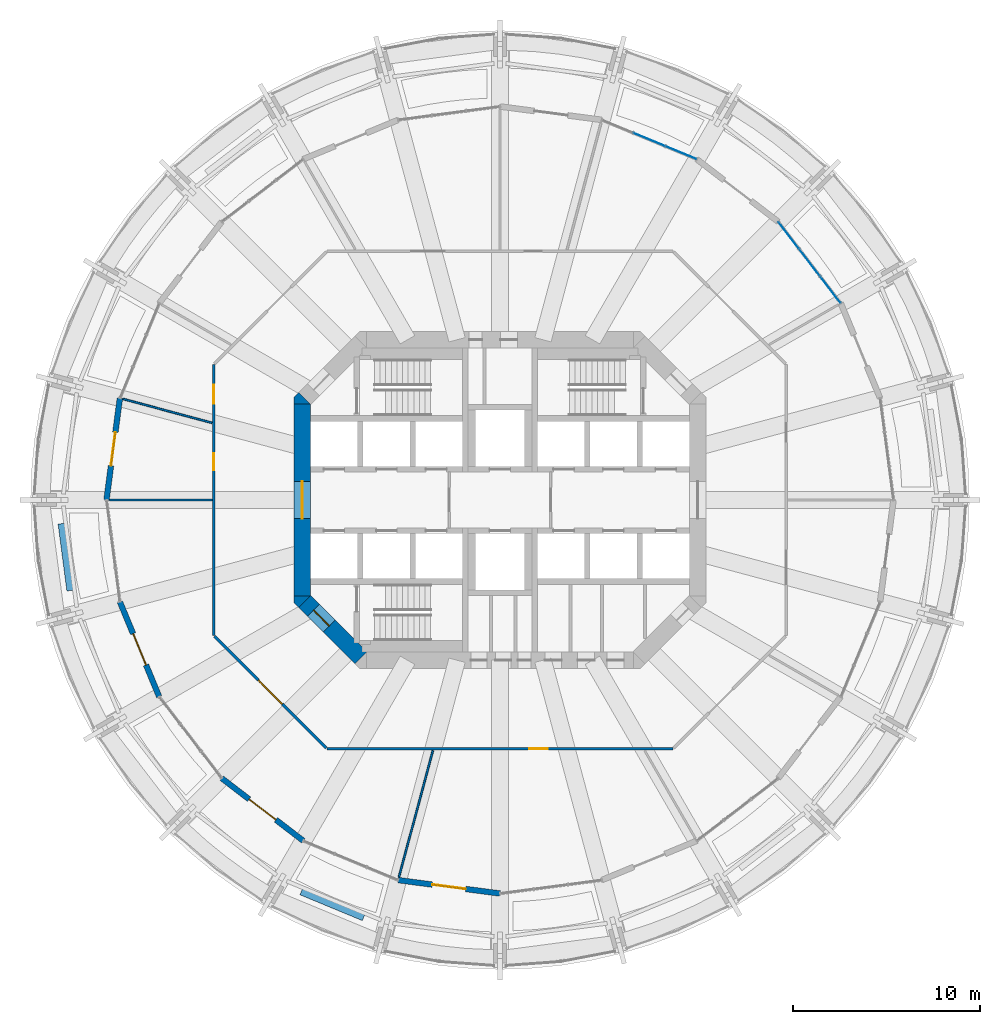
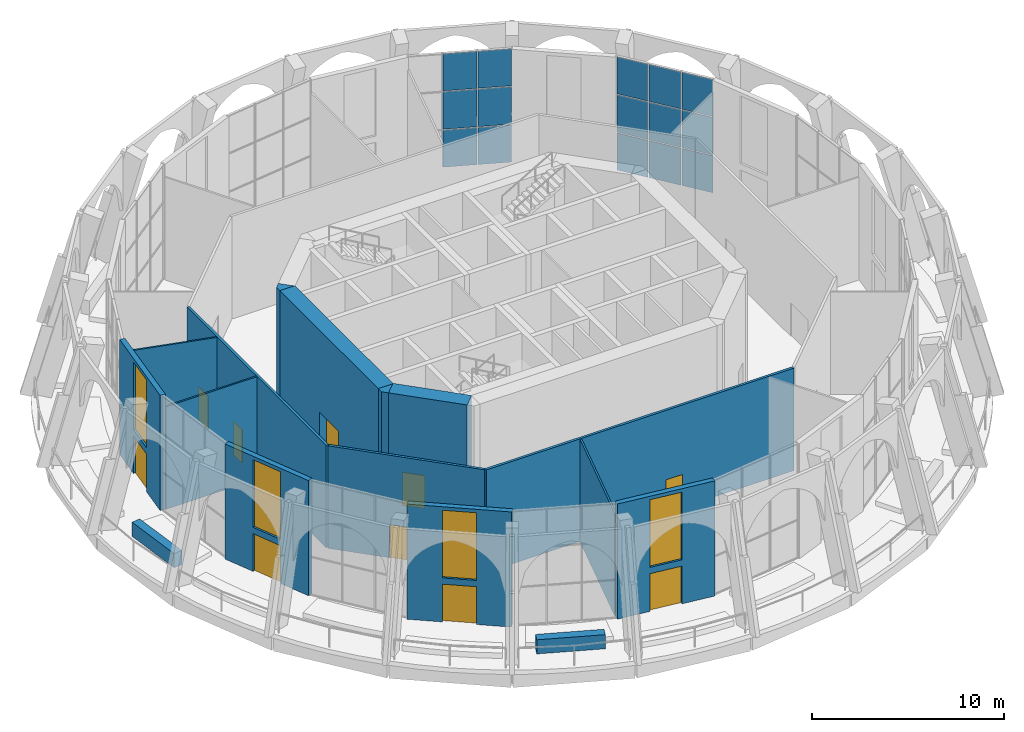
# One storey, part 11 of 18: 16 walls, 15 plates, 10 doors, 4 windows, 14 openings, 2 elements without a shape of their own.
"""IFC4 building model written with IfcOpenShell, lengths in metres."""

from ifc_helpers import new_model, si_unit, direction, frame, frame_2d, origin, origin_2d, place, context, subcontext, project, spatial, polyline, rectangle, outline, extrude, material, layer, layer_set, type_object, element, fill, aggregate, save


model = new_model("IFC4")

# Units and contexts
model_context = context("Model", 3, precision=1e-05, world=origin(), true_north=direction((0.0, 1.0)))
body_context = subcontext(model_context, "Body", "Model", "MODEL_VIEW")
ifc_project = project(units=[si_unit("LENGTHUNIT", "METRE"), si_unit("AREAUNIT", "SQUARE_METRE"), si_unit("VOLUMEUNIT", "CUBIC_METRE"), si_unit("PLANEANGLEUNIT", "RADIAN"), si_unit("MASSUNIT", "GRAM", prefix="KILO")], contexts=[model_context])

# Site, building, storey
site_placement = place(None, origin())
site = spatial("IfcSite", under=ifc_project, at=site_placement, CompositionType="ELEMENT")
building_placement = place(site_placement, origin())
building = spatial("IfcBuilding", under=site, at=building_placement, Name="Torre Triforio", CompositionType="ELEMENT")
storey_placement = place(building_placement, frame((0.0, 0.0, 146.60009765625)))
storey = spatial("IfcBuildingStorey", under=building, at=storey_placement, Name="L33", CompositionType="ELEMENT", Elevation=146.60009765625)

# Curtain wall, plates
ifc_material_1 = material(Name="Aluminium mullion and transom frame with clear laminated glass", Category="aluminium")
curtain_wall_type = type_object("IfcCurtainWallType", Name="Sky garden conservatory wall ECW3", PredefinedType="NOTDEFINED", material=ifc_material_1)
curtain_wall_1_placement = place(storey_placement, origin())
curtain_wall_1 = element("IfcCurtainWall", 1, at=curtain_wall_1_placement, inside=storey, type_object=curtain_wall_type, Name="Conservatory wall L33 bay 03", PredefinedType="NOTDEFINED")
ifc_material_2 = material(Name="Clear laminated glass", Category="glass")
ifc_layer_1 = layer(ifc_material_2, 0.028076171875)
ifc_layer_set_1 = layer_set([ifc_layer_1], Name="Clear laminated glass")
plate_type = type_object("IfcPlateType", Name="ECW3 glass panel 28", PredefinedType="CURTAIN_PANEL", material=ifc_layer_set_1)
plate_1_placement = place(storey_placement, frame((17.63330078125, 11.220947265625, 0.059814453125), z_axis=(0.0, 0.0, 1.0), x_axis=(-0.608763325538, 0.793351885029, 0.0)))
plate_1 = element("IfcPlate", 2, at=plate_1_placement, type_object=plate_type, Name="ECW3 panel 1.1", PredefinedType="CURTAIN_PANEL", context=body_context, shape_type="SweptSolid", body=[
    extrude(rectangle(XDim=1.75732421875, YDim=0.028076171875, at=origin_2d()), origin(), (0.0, 0.0, 1.0), 2.35009765625),
])
plate_2_placement = place(storey_placement, frame((17.63330078125, 11.220947265625, 2.469970703125), z_axis=(0.0, 0.0, 1.0), x_axis=(-0.608763325538, 0.793351885029, 0.0)))
plate_2 = element("IfcPlate", 3, at=plate_2_placement, type_object=plate_type, Name="ECW3 panel 1.2", PredefinedType="CURTAIN_PANEL", context=body_context, shape_type="SweptSolid", body=[
    extrude(rectangle(XDim=1.75732421875, YDim=0.028076171875, at=origin_2d()), origin(), (0.0, 0.0, 1.0), 2.3798828125),
])
plate_3_placement = place(storey_placement, frame((17.63330078125, 11.220947265625, 4.909912109375), z_axis=(0.0, 0.0, 1.0), x_axis=(-0.608763325538, 0.793351885029, 0.0)))
plate_3 = element("IfcPlate", 4, at=plate_3_placement, type_object=plate_type, Name="ECW3 panel 1.3", PredefinedType="CURTAIN_PANEL", context=body_context, shape_type="SweptSolid", body=[
    extrude(rectangle(XDim=1.75732421875, YDim=0.028076171875, at=origin_2d()), origin(), (0.0, 0.0, 1.0), 2.35009765625),
])
plate_4_placement = place(storey_placement, frame((16.517822265625, 12.674560546875, 0.059814453125), z_axis=(0.0, 0.0, 1.0), x_axis=(-0.608763325538, 0.793351885029, 0.0)))
plate_4 = element("IfcPlate", 5, at=plate_4_placement, type_object=plate_type, Name="ECW3 panel 2.1", PredefinedType="CURTAIN_PANEL", context=body_context, shape_type="SweptSolid", body=[
    extrude(rectangle(XDim=1.787353515625, YDim=0.028076171875, at=origin_2d()), origin(), (0.0, 0.0, 1.0), 2.35009765625),
])
plate_5_placement = place(storey_placement, frame((16.517822265625, 12.674560546875, 2.469970703125), z_axis=(0.0, 0.0, 1.0), x_axis=(-0.608763325538, 0.793351885029, 0.0)))
plate_5 = element("IfcPlate", 6, at=plate_5_placement, type_object=plate_type, Name="ECW3 panel 2.2", PredefinedType="CURTAIN_PANEL", context=body_context, shape_type="SweptSolid", body=[
    extrude(rectangle(XDim=1.787353515625, YDim=0.028076171875, at=origin_2d()), origin(), (0.0, 0.0, 1.0), 2.3798828125),
])
plate_6_placement = place(storey_placement, frame((16.517822265625, 12.674560546875, 4.909912109375), z_axis=(0.0, 0.0, 1.0), x_axis=(-0.608763325538, 0.793351885029, 0.0)))
plate_6 = element("IfcPlate", 7, at=plate_6_placement, type_object=plate_type, Name="ECW3 panel 2.3", PredefinedType="CURTAIN_PANEL", context=body_context, shape_type="SweptSolid", body=[
    extrude(rectangle(XDim=1.787353515625, YDim=0.028076171875, at=origin_2d()), origin(), (0.0, 0.0, 1.0), 2.35009765625),
])
plate_7_placement = place(storey_placement, frame((15.40234375, 14.12841796875, 0.059814453125), z_axis=(0.0, 0.0, 1.0), x_axis=(-0.608763325538, 0.793351885029, 0.0)))
plate_7 = element("IfcPlate", 8, at=plate_7_placement, type_object=plate_type, Name="ECW3 panel 3.1", PredefinedType="CURTAIN_PANEL", context=body_context, shape_type="SweptSolid", body=[
    extrude(rectangle(XDim=1.75732421875, YDim=0.028076171875, at=origin_2d()), origin(), (0.0, 0.0, 1.0), 2.35009765625),
])
plate_8_placement = place(storey_placement, frame((15.40234375, 14.12841796875, 2.469970703125), z_axis=(0.0, 0.0, 1.0), x_axis=(-0.608763325538, 0.793351885029, 0.0)))
plate_8 = element("IfcPlate", 9, at=plate_8_placement, type_object=plate_type, Name="ECW3 panel 3.2", PredefinedType="CURTAIN_PANEL", context=body_context, shape_type="SweptSolid", body=[
    extrude(rectangle(XDim=1.75732421875, YDim=0.028076171875, at=origin_2d()), origin(), (0.0, 0.0, 1.0), 2.3798828125),
])
plate_9_placement = place(storey_placement, frame((15.40234375, 14.12841796875, 4.909912109375), z_axis=(0.0, 0.0, 1.0), x_axis=(-0.608763325538, 0.793351885029, 0.0)))
plate_9 = element("IfcPlate", 10, at=plate_9_placement, type_object=plate_type, Name="ECW3 panel 3.3", PredefinedType="CURTAIN_PANEL", context=body_context, shape_type="SweptSolid", body=[
    extrude(rectangle(XDim=1.75732421875, YDim=0.028076171875, at=origin_2d()), origin(), (0.0, 0.0, 1.0), 2.35009765625),
])
aggregate(curtain_wall_1, [plate_1, plate_2, plate_3, plate_4, plate_5, plate_6, plate_7, plate_8, plate_9])

curtain_wall_2_placement = place(storey_placement, origin())
curtain_wall_2 = element("IfcCurtainWall", 11, at=curtain_wall_2_placement, inside=storey, type_object=curtain_wall_type, Name="Conservatory wall L33 bay 05", PredefinedType="NOTDEFINED")
plate_10_placement = place(storey_placement, frame((9.660400390625, 18.534423828125, 0.059814453125), z_axis=(0.0, 0.0, 1.0), x_axis=(-0.923883122974, 0.382674764107, 0.0)))
plate_10 = element("IfcPlate", 12, at=plate_10_placement, type_object=plate_type, Name="ECW3 panel 1.1", PredefinedType="CURTAIN_PANEL", context=body_context, shape_type="SweptSolid", body=[
    extrude(rectangle(XDim=1.75732421875, YDim=0.028076171875, at=origin_2d()), origin(), (0.0, 0.0, 1.0), 2.35009765625),
])
plate_11_placement = place(storey_placement, frame((9.660400390625, 18.534423828125, 2.469970703125), z_axis=(0.0, 0.0, 1.0), x_axis=(-0.923883122974, 0.382674764107, 0.0)))
plate_11 = element("IfcPlate", 13, at=plate_11_placement, type_object=plate_type, Name="ECW3 panel 1.2", PredefinedType="CURTAIN_PANEL", context=body_context, shape_type="SweptSolid", body=[
    extrude(rectangle(XDim=1.75732421875, YDim=0.028076171875, at=origin_2d()), origin(), (0.0, 0.0, 1.0), 2.3798828125),
])
plate_12_placement = place(storey_placement, frame((9.660400390625, 18.534423828125, 4.909912109375), z_axis=(0.0, 0.0, 1.0), x_axis=(-0.923883122974, 0.382674764107, 0.0)))
plate_12 = element("IfcPlate", 14, at=plate_12_placement, type_object=plate_type, Name="ECW3 panel 1.3", PredefinedType="CURTAIN_PANEL", context=body_context, shape_type="SweptSolid", body=[
    extrude(rectangle(XDim=1.75732421875, YDim=0.028076171875, at=origin_2d()), origin(), (0.0, 0.0, 1.0), 2.35009765625),
])
plate_13_placement = place(storey_placement, frame((7.967529296875, 19.235595703125, 0.059814453125), z_axis=(0.0, 0.0, 1.0), x_axis=(-0.923883122974, 0.382674764107, 0.0)))
plate_13 = element("IfcPlate", 15, at=plate_13_placement, type_object=plate_type, Name="ECW3 panel 2.1", PredefinedType="CURTAIN_PANEL", context=body_context, shape_type="SweptSolid", body=[
    extrude(rectangle(XDim=1.787353515625, YDim=0.028076171875, at=origin_2d()), origin(), (0.0, 0.0, 1.0), 2.35009765625),
])
plate_14_placement = place(storey_placement, frame((7.967529296875, 19.235595703125, 2.469970703125), z_axis=(0.0, 0.0, 1.0), x_axis=(-0.923883122974, 0.382674764107, 0.0)))
plate_14 = element("IfcPlate", 16, at=plate_14_placement, type_object=plate_type, Name="ECW3 panel 2.2", PredefinedType="CURTAIN_PANEL", context=body_context, shape_type="SweptSolid", body=[
    extrude(rectangle(XDim=1.787353515625, YDim=0.028076171875, at=origin_2d()), origin(), (0.0, 0.0, 1.0), 2.3798828125),
])
plate_15_placement = place(storey_placement, frame((7.967529296875, 19.235595703125, 4.909912109375), z_axis=(0.0, 0.0, 1.0), x_axis=(-0.923883122974, 0.382674764107, 0.0)))
plate_15 = element("IfcPlate", 17, at=plate_15_placement, type_object=plate_type, Name="ECW3 panel 2.3", PredefinedType="CURTAIN_PANEL", context=body_context, shape_type="SweptSolid", body=[
    extrude(rectangle(XDim=1.787353515625, YDim=0.028076171875, at=origin_2d()), origin(), (0.0, 0.0, 1.0), 2.35009765625),
])
aggregate(curtain_wall_2, [plate_10, plate_11, plate_12, plate_13, plate_14, plate_15])

# Wall, opening, door
ifc_material_3 = material(Name="Concrete C60", Category="concrete")
ifc_layer_2 = layer(ifc_material_3, 0.89990234375)
ifc_layer_set_2 = layer_set([ifc_layer_2], Name="Concrete C60")
wall_type_1 = type_object("IfcWallType", Name="Core wall 900 mm C60 EI 120", PredefinedType="SHEAR", material=ifc_layer_set_2)
wall_1_placement = place(storey_placement, frame((-10.550048828125, -5.1298828125, -0.280029296875), z_axis=(0.0, 0.0, 1.0), x_axis=(0.0, 1.0, 0.0)))
wall_1 = element("IfcWall", 18, at=wall_1_placement, inside=storey, type_object=wall_type_1, Name="Core wall", PredefinedType="SHEAR", context=body_context, shape_type="SweptSolid", body=[
    extrude(rectangle(XDim=10.259765625, YDim=0.89990234375, at=frame_2d((5.1298828125, 0.0))), origin(), (0.0, 0.0, 1.0), 7.599853515625),
])
opening_1_placement = place(wall_1_placement, frame((4.1298828125, 0.0, 0.280029296875)))
opening_1 = element("IfcOpeningElement", 19, at=opening_1_placement, cuts=wall_1, Name="Opening W-RING", PredefinedType="OPENING", context=body_context, shape_type="SweptSolid", body=[
    extrude(rectangle(XDim=2.0, YDim=2.10009765625, at=frame_2d((1.0, 1.050048828125))), frame((0.0, 0.4599609375, 0.0), z_axis=(0.0, -1.0, 0.0), x_axis=(1.0, 0.0, 0.0)), (0.0, 0.0, 1.0), 0.919921875),
])
ifc_material_4 = material(Name="Hollow metal fire door leaf")
door_type_1 = type_object("IfcDoorType", Name="Lobby door 2000 x 2100 EI 60", OperationType="DOUBLE_DOOR_SINGLE_SWING", PredefinedType="DOOR", material=ifc_material_4)
door_1_placement = place(opening_1_placement, origin())
door_1 = element("IfcDoor", 20, at=door_1_placement, inside=storey, type_object=door_type_1, Name="Core door W-RING", OperationType="DOUBLE_DOOR_SINGLE_SWING", OverallHeight=2.10009765625, OverallWidth=2.0, PredefinedType="DOOR", context=body_context, shape_type="SweptSolid", body=[
    extrude(rectangle(XDim=2.0, YDim=2.10009765625, at=frame_2d((1.0, 1.050048828125))), frame((0.0, 0.02490234375, 0.0), z_axis=(0.0, -1.0, 0.0), x_axis=(1.0, 0.0, 0.0)), (0.0, 0.0, 1.0), 0.050048828125),
])
fill(opening_1, door_1)

wall_2_placement = place(storey_placement, frame((-7.418212890625, -8.418212890625, -0.280029296875), z_axis=(0.0, 0.0, 1.0), x_axis=(-0.707106781187, 0.707106781187, 0.0)))
wall_2 = element("IfcWall", 21, at=wall_2_placement, inside=storey, type_object=wall_type_1, Name="Core wall", PredefinedType="SHEAR", context=body_context, shape_type="SweptSolid", body=[
    extrude(rectangle(XDim=4.24267578125, YDim=0.89990234375, at=frame_2d((2.121337890625, 0.0))), origin(), (0.0, 0.0, 1.0), 7.599853515625),
])
opening_2_placement = place(wall_2_placement, frame((2.392578125, 0.0, 0.280029296875)))
opening_2 = element("IfcOpeningElement", 22, at=opening_2_placement, cuts=wall_2, Name="Opening ST3-EXIT", PredefinedType="OPENING", context=body_context, shape_type="SweptSolid", body=[
    extrude(rectangle(XDim=1.199951171875, YDim=2.10009765625, at=frame_2d((0.60009765625, 1.050048828125))), frame((0.0, 0.4599609375, 0.0), z_axis=(0.0, -1.0, 0.0), x_axis=(1.0, 0.0, 0.0)), (0.0, 0.0, 1.0), 0.919921875),
])
door_type_2 = type_object("IfcDoorType", Name="Stair lobby door 1200 x 2100 EI 60", OperationType="NOTDEFINED", PredefinedType="DOOR", material=ifc_material_4)
door_2_placement = place(opening_2_placement, origin())
door_2 = element("IfcDoor", 23, at=door_2_placement, inside=storey, type_object=door_type_2, Name="Core door ST3-EXIT", OperationType="SINGLE_SWING_RIGHT", OverallHeight=2.10009765625, OverallWidth=1.199951171875, PredefinedType="DOOR", context=body_context, shape_type="SweptSolid", body=[
    extrude(rectangle(XDim=1.199951171875, YDim=2.10009765625, at=frame_2d((0.60009765625, 1.050048828125))), frame((0.0, 0.02490234375, 0.0), z_axis=(0.0, -1.0, 0.0), x_axis=(1.0, 0.0, 0.0)), (0.0, 0.0, 1.0), 0.050048828125),
])
fill(opening_2, door_2)

# Walls
wall_3_placement = place(storey_placement, frame((0.0, 0.0, -0.280029296875)))
element("IfcWall", 24, at=wall_3_placement, inside=storey, type_object=wall_type_1, Name="Core wall", PredefinedType="SHEAR", context=body_context, shape_type="SweptSolid", body=[
    extrude(outline(polyline([(-11.0, -5.472900390625), (-11.0, -5.1298828125), (-10.1298828125, -5.1298828125), (-10.736328125, -5.736328125), (-11.0, -5.472900390625)])), origin(), (0.0, 0.0, 1.0), 7.599853515625),
])
wall_4_placement = place(storey_placement, frame((0.0, 0.0, -0.280029296875)))
element("IfcWall", 25, at=wall_4_placement, inside=storey, type_object=wall_type_1, Name="Core wall", PredefinedType="SHEAR", context=body_context, shape_type="SweptSolid", body=[
    extrude(outline(polyline([(-10.736328125, 5.736328125), (-10.1298828125, 5.1298828125), (-11.0, 5.1298828125), (-11.0, 5.472900390625), (-10.736328125, 5.736328125)])), origin(), (0.0, 0.0, 1.0), 7.599853515625),
])

# Wall, opening, door
ifc_material_5 = material(Name="Plasterboard on metal studs")
ifc_layer_3 = layer(ifc_material_5, 0.14990234375)
ifc_layer_set_3 = layer_set([ifc_layer_3], Name="Plasterboard on metal studs")
wall_type_2 = type_object("IfcWallType", Name="Corridor and tenancy wall 150 mm EI 60", PredefinedType="PARTITIONING", material=ifc_layer_set_3)
wall_5_placement = place(storey_placement, frame((9.24365234375, -13.27490234375, 0.0), z_axis=(0.0, 0.0, 1.0), x_axis=(-1.0, 0.0, 0.0)))
wall_5 = element("IfcWall", 26, at=wall_5_placement, inside=storey, type_object=wall_type_2, Name="Partition 2", PredefinedType="PARTITIONING", context=body_context, shape_type="SweptSolid", body=[
    extrude(rectangle(XDim=18.4873046875, YDim=0.14990234375, at=frame_2d((9.24365234375, 0.0))), origin(), (0.0, 0.0, 1.0), 6.52001953125),
])
opening_3_placement = place(wall_5_placement, frame((6.68701171875, 0.0, 0.0)))
opening_3 = element("IfcOpeningElement", 27, at=opening_3_placement, cuts=wall_5, Name="Opening G2-08", PredefinedType="OPENING", context=body_context, shape_type="SweptSolid", body=[
    extrude(rectangle(XDim=1.0, YDim=2.10009765625, at=frame_2d((0.5, 1.050048828125))), frame((0.0, 0.0849609375, 0.0), z_axis=(0.0, -1.0, 0.0), x_axis=(1.0, 0.0, 0.0)), (0.0, 0.0, 1.0), 0.169921875),
])
ifc_material_6 = material(Name="Timber", Category="wood")
door_type_3 = type_object("IfcDoorType", Name="Door 1000 x 2100 single leaf EI 30", OperationType="NOTDEFINED", PredefinedType="DOOR", material=ifc_material_6)
door_3_placement = place(opening_3_placement, origin())
door_3 = element("IfcDoor", 28, at=door_3_placement, inside=storey, type_object=door_type_3, Name="Door G2-08", OperationType="SINGLE_SWING_RIGHT", OverallHeight=2.10009765625, OverallWidth=1.0, PredefinedType="DOOR", context=body_context, shape_type="SweptSolid", body=[
    extrude(rectangle(XDim=1.0, YDim=2.10009765625, at=frame_2d((0.5, 1.050048828125))), frame((0.0, 0.02490234375, 0.0), z_axis=(0.0, -1.0, 0.0), x_axis=(1.0, 0.0, 0.0)), (0.0, 0.0, 1.0), 0.050048828125),
])
fill(opening_3, door_3)

wall_6_placement = place(storey_placement, frame((-9.28076171875, -13.23779296875, 0.0), z_axis=(0.0, 0.0, 1.0), x_axis=(-0.707106781187, 0.707106781187, 0.0)))
wall_6 = element("IfcWall", 29, at=wall_6_placement, inside=storey, type_object=wall_type_2, Name="Partition 3", PredefinedType="PARTITIONING", context=body_context, shape_type="SweptSolid", body=[
    extrude(rectangle(XDim=8.424560546875, YDim=0.14990234375, at=frame_2d((4.21240234375, 0.0))), origin(), (0.0, 0.0, 1.0), 6.52001953125),
])
opening_4_placement = place(wall_6_placement, frame((3.3125, 0.0, 0.0)))
opening_4 = element("IfcOpeningElement", 30, at=opening_4_placement, cuts=wall_6, Name="Opening G2-07", PredefinedType="OPENING", context=body_context, shape_type="SweptSolid", body=[
    extrude(rectangle(XDim=1.800048828125, YDim=2.10009765625, at=frame_2d((0.89990234375, 1.050048828125))), frame((0.0, 0.0849609375, 0.0), z_axis=(0.0, -1.0, 0.0), x_axis=(1.0, 0.0, 0.0)), (0.0, 0.0, 1.0), 0.169921875),
])
door_type_4 = type_object("IfcDoorType", Name="Door 1800 x 2100 double leaf EI 30", OperationType="DOUBLE_DOOR_SINGLE_SWING", PredefinedType="DOOR", material=ifc_material_6)
door_4_placement = place(opening_4_placement, origin())
door_4 = element("IfcDoor", 31, at=door_4_placement, inside=storey, type_object=door_type_4, Name="Door G2-07", OperationType="DOUBLE_DOOR_SINGLE_SWING", OverallHeight=2.10009765625, OverallWidth=1.800048828125, PredefinedType="DOOR", context=body_context, shape_type="SweptSolid", body=[
    extrude(rectangle(XDim=1.800048828125, YDim=2.10009765625, at=frame_2d((0.89990234375, 1.050048828125))), frame((0.0, 0.02490234375, 0.0), z_axis=(0.0, -1.0, 0.0), x_axis=(1.0, 0.0, 0.0)), (0.0, 0.0, 1.0), 0.050048828125),
])
fill(opening_4, door_4)

# Wall, openings, doors
wall_7_placement = place(storey_placement, frame((-15.27490234375, -7.24365234375, 0.0), z_axis=(0.0, 0.0, 1.0), x_axis=(0.0, 1.0, 0.0)))
wall_7 = element("IfcWall", 32, at=wall_7_placement, inside=storey, type_object=wall_type_2, Name="Partition 4", PredefinedType="PARTITIONING", context=body_context, shape_type="SweptSolid", body=[
    extrude(rectangle(XDim=14.4873046875, YDim=0.14990234375, at=frame_2d((7.24365234375, 0.0))), origin(), (0.0, 0.0, 1.0), 6.52001953125),
])
opening_5_placement = place(wall_7_placement, frame((12.38671875, 0.0, 0.0)))
opening_5 = element("IfcOpeningElement", 33, at=opening_5_placement, cuts=wall_7, Name="Opening G2-05", PredefinedType="OPENING", context=body_context, shape_type="SweptSolid", body=[
    extrude(rectangle(XDim=1.0, YDim=2.10009765625, at=frame_2d((0.5, 1.050048828125))), frame((0.0, 0.0849609375, 0.0), z_axis=(0.0, -1.0, 0.0), x_axis=(1.0, 0.0, 0.0)), (0.0, 0.0, 1.0), 0.169921875),
])
opening_6_placement = place(wall_7_placement, frame((8.8408203125, 0.0, 0.0)))
opening_6 = element("IfcOpeningElement", 34, at=opening_6_placement, cuts=wall_7, Name="Opening G2-06", PredefinedType="OPENING", context=body_context, shape_type="SweptSolid", body=[
    extrude(rectangle(XDim=0.89990234375, YDim=2.10009765625, at=frame_2d((0.449951171875, 1.050048828125))), frame((0.0, 0.0849609375, 0.0), z_axis=(0.0, -1.0, 0.0), x_axis=(1.0, 0.0, 0.0)), (0.0, 0.0, 1.0), 0.169921875),
])
door_5_placement = place(opening_5_placement, origin())
door_5 = element("IfcDoor", 35, at=door_5_placement, inside=storey, type_object=door_type_3, Name="Door G2-05", OperationType="SINGLE_SWING_RIGHT", OverallHeight=2.10009765625, OverallWidth=1.0, PredefinedType="DOOR", context=body_context, shape_type="SweptSolid", body=[
    extrude(rectangle(XDim=1.0, YDim=2.10009765625, at=frame_2d((0.5, 1.050048828125))), frame((0.0, 0.02490234375, 0.0), z_axis=(0.0, -1.0, 0.0), x_axis=(1.0, 0.0, 0.0)), (0.0, 0.0, 1.0), 0.050048828125),
])
fill(opening_5, door_5)
door_type_5 = type_object("IfcDoorType", Name="Door 900 x 2100 single leaf EI 30", OperationType="NOTDEFINED", PredefinedType="DOOR", material=ifc_material_6)
door_6_placement = place(opening_6_placement, origin())
door_6 = element("IfcDoor", 36, at=door_6_placement, inside=storey, type_object=door_type_5, Name="Door G2-06", OperationType="SINGLE_SWING_RIGHT", OverallHeight=2.10009765625, OverallWidth=0.89990234375, PredefinedType="DOOR", context=body_context, shape_type="SweptSolid", body=[
    extrude(rectangle(XDim=0.89990234375, YDim=2.10009765625, at=frame_2d((0.449951171875, 1.050048828125))), frame((0.0, 0.02490234375, 0.0), z_axis=(0.0, -1.0, 0.0), x_axis=(1.0, 0.0, 0.0)), (0.0, 0.0, 1.0), 0.050048828125),
])
fill(opening_6, door_6)

# Walls
ifc_layer_4 = layer(ifc_material_5, 0.10009765625)
ifc_layer_set_4 = layer_set([ifc_layer_4], Name="Plasterboard on metal studs")
wall_type_3 = type_object("IfcWallType", Name="Partition 100 mm board on metal studs", PredefinedType="PARTITIONING", material=ifc_layer_set_4)
wall_8_placement = place(storey_placement, frame((-15.3642578125, 4.116943359375, 0.0), z_axis=(0.0, 0.0, 1.0), x_axis=(-0.96593677988, 0.258778162283, 0.0)))
element("IfcWall", 37, at=wall_8_placement, inside=storey, type_object=wall_type_3, Name="Partition 15", PredefinedType="PARTITIONING", context=body_context, shape_type="SweptSolid", body=[
    extrude(rectangle(XDim=4.930419921875, YDim=0.10009765625, at=frame_2d((2.46533203125, 0.0))), origin(), (0.0, 0.0, 1.0), 6.52001953125),
])
wall_9_placement = place(storey_placement, frame((-15.35009765625, 0.0, 0.0), z_axis=(0.0, 0.0, 1.0), x_axis=(-1.0, 0.0, 0.0)))
element("IfcWall", 38, at=wall_9_placement, inside=storey, type_object=wall_type_3, Name="Partition 16", PredefinedType="PARTITIONING", context=body_context, shape_type="SweptSolid", body=[
    extrude(rectangle(XDim=5.486572265625, YDim=0.10009765625, at=frame_2d((2.7431640625, 0.0))), origin(), (0.0, 0.0, 1.0), 6.52001953125),
])
wall_10_placement = place(storey_placement, frame((-3.5810546875, -13.3642578125, 0.0), z_axis=(0.0, 0.0, 1.0), x_axis=(-0.258788959086, -0.965933887311, 0.0)))
element("IfcWall", 39, at=wall_10_placement, inside=storey, type_object=wall_type_3, Name="Partition 17", PredefinedType="PARTITIONING", context=body_context, shape_type="SweptSolid", body=[
    extrude(rectangle(XDim=7.0009765625, YDim=0.10009765625, at=frame_2d((3.50048828125, 0.0))), origin(), (0.0, 0.0, 1.0), 6.52001953125),
])
ifc_material_7 = material(Name="Limestone cladding", Category="masonry")
ifc_layer_5 = layer(ifc_material_7, 0.10009765625)
ifc_material_8 = material(Name="Concrete C40", Category="concrete")
ifc_layer_6 = layer(ifc_material_8, 0.39990234375)
ifc_layer_set_5 = layer_set([ifc_layer_5, ifc_layer_6], Name="Limestone cladding / Concrete C40")
wall_type_4 = type_object("IfcWallType", Name="Planter wall 500", PredefinedType="PARAPET", material=ifc_layer_set_5)
for number, where, z_axis, x_axis, name in (
    (40, (-23.335693359375, -1.256591796875, 0.0), (0.0, 0.0, 1.0), (0.130542222659, -0.991442750795, 0.0), "Planter L33 bay 13"),
    (41, (-10.57958984375, -20.837646484375, 0.0), (0.0, 0.0, 1.0), (0.923909393783, -0.382611332921, 0.0), "Planter L33 bay 17"),
):
    element("IfcWall", number, at=place(storey_placement, frame(where, z_axis=z_axis, x_axis=x_axis)), inside=storey, type_object=wall_type_4, Name=name, PredefinedType="PARAPET", context=body_context, shape_type="SweptSolid", body=[
        extrude(rectangle(XDim=3.60009765625, YDim=0.5, at=frame_2d((1.800048828125, 0.0))), origin(), (0.0, 0.0, 1.0), 0.89990234375),
    ])

# Wall, openings, window, door
ifc_layer_7 = layer(ifc_material_7, 0.10009765625)
ifc_layer_8 = layer(ifc_material_8, 0.199951171875)
ifc_layer_set_6 = layer_set([ifc_layer_7, ifc_layer_8], Name="Limestone cladding / Concrete C40")
wall_type_5 = type_object("IfcWallType", Name="Stone-faced composite wall 300", PredefinedType="STANDARD", material=ifc_layer_set_6)
wall_11_placement = place(storey_placement, frame((-20.284423828125, 5.435302734375, 0.0), z_axis=(0.0, 0.0, 1.0), x_axis=(-0.130527087244, -0.991444743541, 0.0)))
wall_11 = element("IfcWall", 42, at=wall_11_placement, inside=storey, type_object=wall_type_5, Name="External wall L33 bay 12", PredefinedType="STANDARD", context=body_context, shape_type="SweptSolid", body=[
    extrude(rectangle(XDim=5.482177734375, YDim=0.300048828125, at=frame_2d((2.7412109375, 0.0))), origin(), (0.0, 0.0, 1.0), 7.31982421875),
])
opening_7_placement = place(wall_11_placement, frame((1.841064453125, 0.0, 0.0)))
opening_7 = element("IfcOpeningElement", 43, at=opening_7_placement, cuts=wall_11, Name="Opening G2-D12", PredefinedType="OPENING", context=body_context, shape_type="SweptSolid", body=[
    extrude(rectangle(XDim=1.800048828125, YDim=2.39990234375, at=frame_2d((0.89990234375, 1.199951171875))), frame((0.0, 0.159912109375, 0.0), z_axis=(0.0, -1.0, 0.0), x_axis=(1.0, 0.0, 0.0)), (0.0, 0.0, 1.0), 0.320068359375),
])
opening_8_placement = place(wall_11_placement, frame((1.841064453125, 0.0, 2.800048828125)))
opening_8 = element("IfcOpeningElement", 44, at=opening_8_placement, cuts=wall_11, Name="Opening G2-W12", PredefinedType="OPENING", context=body_context, shape_type="SweptSolid", body=[
    extrude(rectangle(XDim=1.800048828125, YDim=4.300048828125, at=frame_2d((0.89990234375, 2.14990234375))), frame((0.0, 0.159912109375, 0.0), z_axis=(0.0, -1.0, 0.0), x_axis=(1.0, 0.0, 0.0)), (0.0, 0.0, 1.0), 0.320068359375),
])
ifc_material_9 = material(Name="Aluminium frame with clear double glazing", Category="aluminium")
window_type = type_object("IfcWindowType", Name="Garden clerestory window 1800 x 4300", PartitioningType="DOUBLE_PANEL_VERTICAL", PredefinedType="WINDOW", material=ifc_material_9)
window_1_placement = place(opening_8_placement, origin())
window_1 = element("IfcWindow", 45, at=window_1_placement, inside=storey, type_object=window_type, Name="Clerestory EWN21 L33 bay 12", OverallHeight=4.300048828125, OverallWidth=1.800048828125, PartitioningType="SINGLE_PANEL", PredefinedType="WINDOW", context=body_context, shape_type="SweptSolid", body=[
    extrude(rectangle(XDim=1.800048828125, YDim=4.300048828125, at=frame_2d((0.89990234375, 2.14990234375))), frame((0.0, 0.030029296875, 0.0), z_axis=(0.0, -1.0, 0.0), x_axis=(1.0, 0.0, 0.0)), (0.0, 0.0, 1.0), 0.06005859375),
])
fill(opening_8, window_1)
door_type_6 = type_object("IfcDoorType", Name="Terrace double door 1800 x 2400", OperationType="DOUBLE_DOOR_SINGLE_SWING", PredefinedType="DOOR", material=ifc_material_9)
door_7_placement = place(opening_7_placement, origin())
door_7 = element("IfcDoor", 46, at=door_7_placement, inside=storey, type_object=door_type_6, Name="Terrace door L33 bay 12", OperationType="SINGLE_SWING_LEFT", OverallHeight=2.39990234375, OverallWidth=1.800048828125, PredefinedType="DOOR", context=body_context, shape_type="SweptSolid", body=[
    extrude(rectangle(XDim=1.800048828125, YDim=2.39990234375, at=frame_2d((0.89990234375, 1.199951171875))), frame((0.0, 0.02490234375, 0.0), z_axis=(0.0, -1.0, 0.0), x_axis=(1.0, 0.0, 0.0)), (0.0, 0.0, 1.0), 0.050048828125),
])
fill(opening_7, door_7)

wall_12_placement = place(storey_placement, frame((-20.284423828125, -5.435302734375, 0.0), z_axis=(0.0, 0.0, 1.0), x_axis=(0.382688740813, -0.923877333662, 0.0)))
wall_12 = element("IfcWall", 47, at=wall_12_placement, inside=storey, type_object=wall_type_5, Name="External wall L33 bay 14", PredefinedType="STANDARD", context=body_context, shape_type="SweptSolid", body=[
    extrude(rectangle(XDim=5.48193359375, YDim=0.300048828125, at=frame_2d((2.740966796875, 0.0))), origin(), (0.0, 0.0, 1.0), 7.31982421875),
])
opening_9_placement = place(wall_12_placement, frame((1.841064453125, 0.0, 0.0)))
opening_9 = element("IfcOpeningElement", 48, at=opening_9_placement, cuts=wall_12, Name="Opening G2-D14", PredefinedType="OPENING", context=body_context, shape_type="SweptSolid", body=[
    extrude(rectangle(XDim=1.800048828125, YDim=2.39990234375, at=frame_2d((0.89990234375, 1.199951171875))), frame((0.0, 0.159912109375, 0.0), z_axis=(0.0, -1.0, 0.0), x_axis=(1.0, 0.0, 0.0)), (0.0, 0.0, 1.0), 0.320068359375),
])
opening_10_placement = place(wall_12_placement, frame((1.841064453125, 0.0, 2.800048828125)))
opening_10 = element("IfcOpeningElement", 49, at=opening_10_placement, cuts=wall_12, Name="Opening G2-W14", PredefinedType="OPENING", context=body_context, shape_type="SweptSolid", body=[
    extrude(rectangle(XDim=1.800048828125, YDim=4.300048828125, at=frame_2d((0.89990234375, 2.14990234375))), frame((0.0, 0.159912109375, 0.0), z_axis=(0.0, -1.0, 0.0), x_axis=(1.0, 0.0, 0.0)), (0.0, 0.0, 1.0), 0.320068359375),
])
window_2_placement = place(opening_10_placement, origin())
window_2 = element("IfcWindow", 50, at=window_2_placement, inside=storey, type_object=window_type, Name="Clerestory EWN21 L33 bay 14", OverallHeight=4.300048828125, OverallWidth=1.800048828125, PartitioningType="SINGLE_PANEL", PredefinedType="WINDOW", context=body_context, shape_type="SweptSolid", body=[
    extrude(rectangle(XDim=1.800048828125, YDim=4.300048828125, at=frame_2d((0.89990234375, 2.14990234375))), frame((0.0, 0.030029296875, 0.0), z_axis=(0.0, -1.0, 0.0), x_axis=(1.0, 0.0, 0.0)), (0.0, 0.0, 1.0), 0.06005859375),
])
fill(opening_10, window_2)
door_8_placement = place(opening_9_placement, origin())
door_8 = element("IfcDoor", 51, at=door_8_placement, inside=storey, type_object=door_type_6, Name="Terrace door L33 bay 14", OperationType="SINGLE_SWING_LEFT", OverallHeight=2.39990234375, OverallWidth=1.800048828125, PredefinedType="DOOR", context=body_context, shape_type="SweptSolid", body=[
    extrude(rectangle(XDim=1.800048828125, YDim=2.39990234375, at=frame_2d((0.89990234375, 1.199951171875))), frame((0.0, 0.02490234375, 0.0), z_axis=(0.0, -1.0, 0.0), x_axis=(1.0, 0.0, 0.0)), (0.0, 0.0, 1.0), 0.050048828125),
])
fill(opening_9, door_8)

wall_13_placement = place(storey_placement, frame((-14.84912109375, -14.84912109375, 0.0), z_axis=(0.0, 0.0, 1.0), x_axis=(0.793335336593, -0.608784891166, 0.0)))
wall_13 = element("IfcWall", 52, at=wall_13_placement, inside=storey, type_object=wall_type_5, Name="External wall L33 bay 16", PredefinedType="STANDARD", context=body_context, shape_type="SweptSolid", body=[
    extrude(rectangle(XDim=5.482177734375, YDim=0.300048828125, at=frame_2d((2.7412109375, 0.0))), origin(), (0.0, 0.0, 1.0), 7.31982421875),
])
opening_11_placement = place(wall_13_placement, frame((1.841064453125, 0.0, 0.0)))
opening_11 = element("IfcOpeningElement", 53, at=opening_11_placement, cuts=wall_13, Name="Opening G2-D16", PredefinedType="OPENING", context=body_context, shape_type="SweptSolid", body=[
    extrude(rectangle(XDim=1.800048828125, YDim=2.39990234375, at=frame_2d((0.89990234375, 1.199951171875))), frame((0.0, 0.159912109375, 0.0), z_axis=(0.0, -1.0, 0.0), x_axis=(1.0, 0.0, 0.0)), (0.0, 0.0, 1.0), 0.320068359375),
])
opening_12_placement = place(wall_13_placement, frame((1.841064453125, 0.0, 2.800048828125)))
opening_12 = element("IfcOpeningElement", 54, at=opening_12_placement, cuts=wall_13, Name="Opening G2-W16", PredefinedType="OPENING", context=body_context, shape_type="SweptSolid", body=[
    extrude(rectangle(XDim=1.800048828125, YDim=4.300048828125, at=frame_2d((0.89990234375, 2.14990234375))), frame((0.0, 0.159912109375, 0.0), z_axis=(0.0, -1.0, 0.0), x_axis=(1.0, 0.0, 0.0)), (0.0, 0.0, 1.0), 0.320068359375),
])
window_3_placement = place(opening_12_placement, origin())
window_3 = element("IfcWindow", 55, at=window_3_placement, inside=storey, type_object=window_type, Name="Clerestory EWN21 L33 bay 16", OverallHeight=4.300048828125, OverallWidth=1.800048828125, PartitioningType="SINGLE_PANEL", PredefinedType="WINDOW", context=body_context, shape_type="SweptSolid", body=[
    extrude(rectangle(XDim=1.800048828125, YDim=4.300048828125, at=frame_2d((0.89990234375, 2.14990234375))), frame((0.0, 0.030029296875, 0.0), z_axis=(0.0, -1.0, 0.0), x_axis=(1.0, 0.0, 0.0)), (0.0, 0.0, 1.0), 0.06005859375),
])
fill(opening_12, window_3)
door_9_placement = place(opening_11_placement, origin())
door_9 = element("IfcDoor", 56, at=door_9_placement, inside=storey, type_object=door_type_6, Name="Terrace door L33 bay 16", OperationType="SINGLE_SWING_LEFT", OverallHeight=2.39990234375, OverallWidth=1.800048828125, PredefinedType="DOOR", context=body_context, shape_type="SweptSolid", body=[
    extrude(rectangle(XDim=1.800048828125, YDim=2.39990234375, at=frame_2d((0.89990234375, 1.199951171875))), frame((0.0, 0.02490234375, 0.0), z_axis=(0.0, -1.0, 0.0), x_axis=(1.0, 0.0, 0.0)), (0.0, 0.0, 1.0), 0.050048828125),
])
fill(opening_11, door_9)

wall_14_placement = place(storey_placement, frame((-5.435302734375, -20.284423828125, 0.0), z_axis=(0.0, 0.0, 1.0), x_axis=(0.991444743541, -0.130527087244, 0.0)))
wall_14 = element("IfcWall", 57, at=wall_14_placement, inside=storey, type_object=wall_type_5, Name="External wall L33 bay 18", PredefinedType="STANDARD", context=body_context, shape_type="SweptSolid", body=[
    extrude(rectangle(XDim=5.482177734375, YDim=0.300048828125, at=frame_2d((2.7412109375, 0.0))), origin(), (0.0, 0.0, 1.0), 7.31982421875),
])
opening_13_placement = place(wall_14_placement, frame((1.841064453125, 0.0, 0.0)))
opening_13 = element("IfcOpeningElement", 58, at=opening_13_placement, cuts=wall_14, Name="Opening G2-D18", PredefinedType="OPENING", context=body_context, shape_type="SweptSolid", body=[
    extrude(rectangle(XDim=1.800048828125, YDim=2.39990234375, at=frame_2d((0.89990234375, 1.199951171875))), frame((0.0, 0.159912109375, 0.0), z_axis=(0.0, -1.0, 0.0), x_axis=(1.0, 0.0, 0.0)), (0.0, 0.0, 1.0), 0.320068359375),
])
opening_14_placement = place(wall_14_placement, frame((1.841064453125, 0.0, 2.800048828125)))
opening_14 = element("IfcOpeningElement", 59, at=opening_14_placement, cuts=wall_14, Name="Opening G2-W18", PredefinedType="OPENING", context=body_context, shape_type="SweptSolid", body=[
    extrude(rectangle(XDim=1.800048828125, YDim=4.300048828125, at=frame_2d((0.89990234375, 2.14990234375))), frame((0.0, 0.159912109375, 0.0), z_axis=(0.0, -1.0, 0.0), x_axis=(1.0, 0.0, 0.0)), (0.0, 0.0, 1.0), 0.320068359375),
])
window_4_placement = place(opening_14_placement, origin())
window_4 = element("IfcWindow", 60, at=window_4_placement, inside=storey, type_object=window_type, Name="Clerestory EWN21 L33 bay 18", OverallHeight=4.300048828125, OverallWidth=1.800048828125, PartitioningType="SINGLE_PANEL", PredefinedType="WINDOW", context=body_context, shape_type="SweptSolid", body=[
    extrude(rectangle(XDim=1.800048828125, YDim=4.300048828125, at=frame_2d((0.89990234375, 2.14990234375))), frame((0.0, 0.030029296875, 0.0), z_axis=(0.0, -1.0, 0.0), x_axis=(1.0, 0.0, 0.0)), (0.0, 0.0, 1.0), 0.06005859375),
])
fill(opening_14, window_4)
door_10_placement = place(opening_13_placement, origin())
door_10 = element("IfcDoor", 61, at=door_10_placement, inside=storey, type_object=door_type_6, Name="Terrace door L33 bay 18", OperationType="SINGLE_SWING_LEFT", OverallHeight=2.39990234375, OverallWidth=1.800048828125, PredefinedType="DOOR", context=body_context, shape_type="SweptSolid", body=[
    extrude(rectangle(XDim=1.800048828125, YDim=2.39990234375, at=frame_2d((0.89990234375, 1.199951171875))), frame((0.0, 0.02490234375, 0.0), z_axis=(0.0, -1.0, 0.0), x_axis=(1.0, 0.0, 0.0)), (0.0, 0.0, 1.0), 0.050048828125),
])
fill(opening_13, door_10)

save(model, "model.ifc")
